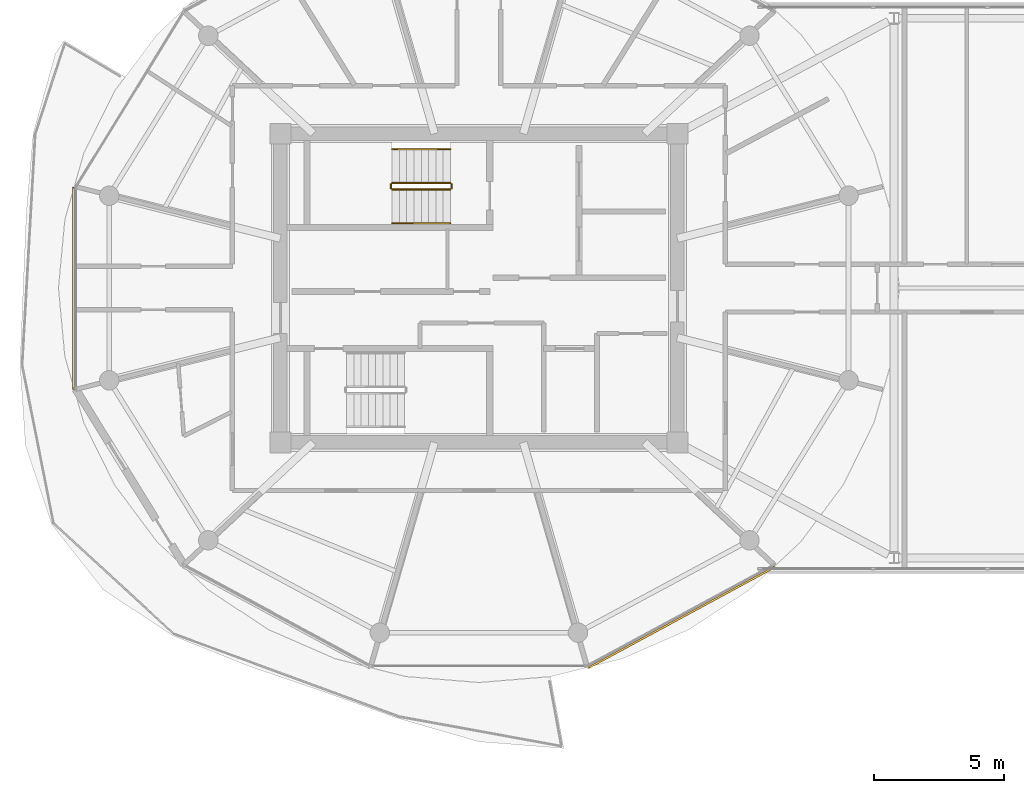
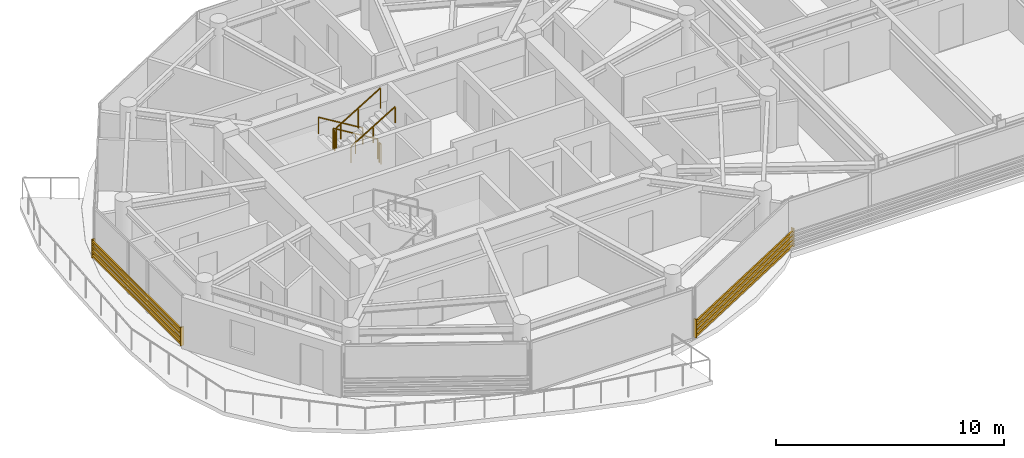
# One storey, part 21 of 23: 6 railings, 2 shading devices.
"""IFC4 building model written with IfcOpenShell, lengths in metres."""

import ifcopenshell
import ifcopenshell.guid

model = None  # the IFC model being written
_history = None  # IfcOwnerHistory: only IFC2X3 demands one
_inside = {}  # id of a spatial element -> (the spatial element, [elements in it])
_under = {}  # id of a project, library or spatial element -> (it, [spatial elements below it])
_declared = {}  # id of a project -> (the project, [libraries it declares])
_typed = {}  # id of a type object -> (the type object, [elements of that type])
_made_of = {}  # id of a material, layer set ... -> (it, [elements and type objects made of it])


def new_model(schema):
    """Start an empty IFC model of exactly this schema.

    Asked for "IFC4X3", IfcOpenShell would pick the latest addendum, in which some entities
    have other attributes; the version numbers below select the first issue.
    IFC2X3 requires an IfcOwnerHistory on every rooted entity: one is made here for all.
    """
    global model, _history
    if schema == "IFC4X3":
        model = ifcopenshell.file(schema_version=(4, 3, 0, 0))
    else:
        model = ifcopenshell.file(schema=schema)
    _inside.clear()
    _under.clear()
    _declared.clear()
    _typed.clear()
    _made_of.clear()
    _history = None
    if model.schema == "IFC2X3":
        org = make("IfcOrganization", Name="unknown")
        user = make(
            "IfcPersonAndOrganization",
            ThePerson=make("IfcPerson", FamilyName="unknown"),
            TheOrganization=org,
        )
        app = make(
            "IfcApplication",
            ApplicationDeveloper=org,
            Version="unknown",
            ApplicationFullName="unknown",
            ApplicationIdentifier="unknown",
        )
        _history = make(
            "IfcOwnerHistory",
            OwningUser=user,
            OwningApplication=app,
            ChangeAction="ADDED",
            CreationDate=0,
        )
    return model


def make(cls, **values):
    """One entity of the class cls with the attributes given. An attribute that is None is left unset."""
    return model.create_entity(
        cls, **{name: value for name, value in values.items() if value is not None}
    )


def rooted(cls, **values):
    """An entity with a GlobalId (a new one), such as an element, a storey or a relation."""
    return make(cls, GlobalId=ifcopenshell.guid.new(), OwnerHistory=_history, **values)


def si_unit(unit_type, name, prefix=None):
    """IfcSIUnit, for example si_unit("LENGTHUNIT", "METRE", prefix="MILLI")."""
    return make("IfcSIUnit", UnitType=unit_type, Prefix=prefix, Name=name)


def assignment(units):
    """IfcUnitAssignment: the units of a project."""
    return None if units is None else make("IfcUnitAssignment", Units=units)


def point(xyz):
    """IfcCartesianPoint."""
    return None if xyz is None else make("IfcCartesianPoint", Coordinates=xyz)


def direction(xyz):
    """IfcDirection."""
    return None if xyz is None else make("IfcDirection", DirectionRatios=xyz)


def frame(location, z_axis=None, x_axis=None):
    """IfcAxis2Placement3D, a coordinate frame: its origin and axes. An axis left out is left unset."""
    return make(
        "IfcAxis2Placement3D",
        Location=point(location),
        Axis=direction(z_axis),
        RefDirection=direction(x_axis),
    )


def frame_2d(location, x_axis=None):
    """IfcAxis2Placement2D, a coordinate frame in the plane: its origin and x axis."""
    return make(
        "IfcAxis2Placement2D", Location=point(location), RefDirection=direction(x_axis)
    )


def origin():
    """The frame at (0, 0, 0) with its axes left unset."""
    return frame((0.0, 0.0, 0.0))


def origin_2d():
    """The frame at (0, 0) in the plane with its x axis left unset."""
    return frame_2d((0.0, 0.0))


def place(relative_to, where):
    """IfcLocalPlacement: puts the frame where relative to a parent placement (None: the world)."""
    return make(
        "IfcLocalPlacement", PlacementRelTo=relative_to, RelativePlacement=where
    )


def context(
    kind, dimensions, precision=None, world=None, true_north=None, identifier=None
):
    """IfcGeometricRepresentationContext, for example the 3D "Model" context."""
    return make(
        "IfcGeometricRepresentationContext",
        ContextIdentifier=identifier,
        ContextType=kind,
        CoordinateSpaceDimension=dimensions,
        Precision=precision,
        WorldCoordinateSystem=world,
        TrueNorth=true_north,
    )


def subcontext(parent, identifier, kind, view, scale=None):
    """IfcGeometricRepresentationSubContext, for example "Body" below "Model"."""
    return make(
        "IfcGeometricRepresentationSubContext",
        ContextIdentifier=identifier,
        ContextType=kind,
        ParentContext=parent,
        TargetScale=scale,
        TargetView=view,
    )


def project(units=None, contexts=None):
    """IfcProject with its units and contexts."""
    return rooted(
        "IfcProject",
        Name="project",
        RepresentationContexts=contexts,
        UnitsInContext=assignment(units),
    )


def spatial(cls, under=None, at=None, **own):
    """A site, building, storey or space (cls), placed at a placement, below another one or the project."""
    s = rooted(cls, ObjectPlacement=at, **own)
    if under is not None:
        _under.setdefault(under.id(), (under, []))[1].append(s)
    return s


def profile(cls, at=None, kind="AREA", **sizes):
    """A parametric profile (cls). Its sizes go by their IFC names, for example OverallWidth=200.0."""
    return make(cls, ProfileType=kind, Position=at, **sizes)


def rectangle(**sizes):
    """IfcRectangleProfileDef."""
    return profile("IfcRectangleProfileDef", **sizes)


def extrude(swept, where, along, depth):
    """IfcExtrudedAreaSolid: the profile swept, set in the frame where, extruded along a direction by depth."""
    return make(
        "IfcExtrudedAreaSolid",
        SweptArea=swept,
        Position=where,
        ExtrudedDirection=direction(along),
        Depth=depth,
    )


def shape(context_of_items, identifier, shape_type, items):
    """IfcShapeRepresentation: the items that make up one representation, for example the "Body"."""
    return make(
        "IfcShapeRepresentation",
        ContextOfItems=context_of_items,
        RepresentationIdentifier=identifier,
        RepresentationType=shape_type,
        Items=items,
    )


def source(mapping_origin, context_of_items, identifier, shape_type, items):
    """IfcRepresentationMap: a shape defined once, which mapped items show again and again."""
    return make(
        "IfcRepresentationMap",
        MappingOrigin=mapping_origin,
        MappedRepresentation=shape(context_of_items, identifier, shape_type, items),
    )


def transform(
    local_origin,
    x_axis=None,
    y_axis=None,
    z_axis=None,
    scale=None,
    scale2=None,
    scale3=None,
    uniform=True,
):
    """IfcCartesianTransformationOperator3D, or its non-uniform kind. x_axis, y_axis, z_axis: its Axis1, 2, 3."""
    if uniform:
        return make(
            "IfcCartesianTransformationOperator3D",
            Axis1=direction(x_axis),
            Axis2=direction(y_axis),
            LocalOrigin=point(local_origin),
            Scale=scale,
            Axis3=direction(z_axis),
        )
    return make(
        "IfcCartesianTransformationOperator3DnonUniform",
        Axis1=direction(x_axis),
        Axis2=direction(y_axis),
        LocalOrigin=point(local_origin),
        Scale=scale,
        Axis3=direction(z_axis),
        Scale2=scale2,
        Scale3=scale3,
    )


def mapped(mapping_source, mapping_target):
    """IfcMappedItem: shows the shape of a source again, moved by a transform."""
    return make(
        "IfcMappedItem", MappingSource=mapping_source, MappingTarget=mapping_target
    )


def material(Name=None, Category=None):
    """IfcMaterial."""
    return make("IfcMaterial", Name=Name, Category=Category)


def made_of(thing, what):
    """Note that an element or type object is made of a material, layer set ...; save() writes the relation."""
    if what is not None:
        _made_of.setdefault(what.id(), (what, []))[1].append(thing)
    return thing


def type_object(cls, material=None, **own):
    """A type object (cls), such as IfcWallType, which elements share."""
    return made_of(rooted(cls, **own), material)


def type_shapes(of_type, sources):
    """Give a type object the sources (RepresentationMaps) that its elements show as mapped items."""
    of_type.RepresentationMaps = sources


def element(
    cls,
    number,
    at=None,
    inside=None,
    cuts=None,
    type_object=None,
    material=None,
    context=None,
    identifier="Body",
    shape_type=None,
    held_by="IfcProductDefinitionShape",
    body=None,
    shapes=None,
    **own,
):
    """One element of the class cls, such as IfcWall. Its Tag is "e" and its number.

    at: its placement. inside: the storey or other place that contains it. cuts: it is an
    opening in that element (IfcRelVoidsElement). A single representation is given by context,
    identifier, shape_type and body (its items); several are given by shapes. held_by: the class
    of the entity that holds the representations. save() writes the other relations.
    """
    e = rooted(cls, Tag="e%d" % number, ObjectPlacement=at, **own)
    if body is not None:
        shapes = [shape(context, identifier, shape_type, body)]
    if shapes is not None:
        e.Representation = make(held_by, Representations=shapes)
    if inside is not None:
        _inside.setdefault(inside.id(), (inside, []))[1].append(e)
    if cuts is not None:
        rooted(
            "IfcRelVoidsElement", RelatingBuildingElement=cuts, RelatedOpeningElement=e
        )
    if type_object is not None:
        _typed.setdefault(type_object.id(), (type_object, []))[1].append(e)
    return made_of(e, material)


def aggregate(whole, parts):
    """IfcRelAggregates: a whole, such as a stair, and the parts it consists of."""
    return rooted("IfcRelAggregates", RelatingObject=whole, RelatedObjects=parts)


def save(model, path):
    """Write the relations noted so far, then the file.

    IfcRelAggregates (storeys below a building ...), IfcRelContainedInSpatialStructure (elements
    in a storey), IfcRelDefinesByType, IfcRelAssociatesMaterial and IfcRelDeclares: one each for
    every whole, place, type object, material and project.
    """
    for whole, parts in _under.values():
        aggregate(whole, parts)
    for where, things in _inside.values():
        rooted(
            "IfcRelContainedInSpatialStructure",
            RelatedElements=things,
            RelatingStructure=where,
        )
    for kind, things in _typed.values():
        rooted("IfcRelDefinesByType", RelatedObjects=things, RelatingType=kind)
    for what, things in _made_of.values():
        rooted("IfcRelAssociatesMaterial", RelatedObjects=things, RelatingMaterial=what)
    for by, libraries in _declared.values():
        rooted("IfcRelDeclares", RelatingContext=by, RelatedDefinitions=libraries)
    model.write(path)


model = new_model("IFC4")

# Units and contexts
model_context = context("Model", 3, precision=1e-05, world=origin(), true_north=direction((0.0, 1.0)))
body_context = subcontext(model_context, "Body", "Model", "MODEL_VIEW")
ifc_project = project(units=[si_unit("LENGTHUNIT", "METRE"), si_unit("AREAUNIT", "SQUARE_METRE"), si_unit("VOLUMEUNIT", "CUBIC_METRE"), si_unit("PLANEANGLEUNIT", "RADIAN"), si_unit("MASSUNIT", "GRAM", prefix="KILO")], contexts=[model_context])

# Site, building, storey
site_placement = place(None, origin())
site = spatial("IfcSite", under=ifc_project, at=site_placement, CompositionType="ELEMENT")
building_placement = place(site_placement, origin())
building = spatial("IfcBuilding", under=site, at=building_placement, Name="Norrkilde Senior Care Towers", CompositionType="ELEMENT")
storey_placement = place(building_placement, frame((0.0, 0.0, 216.949951171875)))
storey = spatial("IfcBuildingStorey", under=building, at=storey_placement, Name="L67", CompositionType="ELEMENT", Elevation=216.949951171875)

# Railings
ifc_material_1 = material(Name="Stainless Steel", Category="steel")
railing_type_1 = type_object("IfcRailingType", Name="Stair and Terrace Guardrail 1100", PredefinedType="GUARDRAIL", material=ifc_material_1)
railing_1_placement = place(storey_placement, frame((-29.10009765625, 4.050048828125, 0.16943359375)))
element("IfcRailing", 1, at=railing_1_placement, inside=storey, type_object=railing_type_1, Name="L67 ST-W1 stair guard 1", PredefinedType="GUARDRAIL", context=body_context, shape_type="SweptSolid", body=[
    extrude(rectangle(XDim=0.048095703125, YDim=0.048095703125, at=origin_2d()), frame((0.0, 0.0, 1.076171875), z_axis=(-0.855512035549, 0.0, 0.517782924622), x_axis=(0.0, -1.0, 0.0)), (0.0, 0.0, 1.0), 2.618408203125),
    extrude(rectangle(XDim=0.0419921875, YDim=0.0419921875, at=origin_2d()), origin(), (0.0, 0.0, 1.0), 1.050048828125),
    extrude(rectangle(XDim=0.0419921875, YDim=0.0419921875, at=origin_2d()), frame((-1.1201171875, 0.0, 0.677734375)), (0.0, 0.0, 1.0), 1.050048828125),
    extrude(rectangle(XDim=0.0419921875, YDim=0.0419921875, at=origin_2d()), frame((-2.239990234375, 0.0, 1.355712890625)), (0.0, 0.0, 1.0), 1.050048828125),
])
railing_2_placement = place(storey_placement, frame((-31.389892578125, 4.0, 1.525146484375)))
element("IfcRailing", 2, at=railing_2_placement, inside=storey, type_object=railing_type_1, Name="L67 ST-W1 stair guard 2", PredefinedType="GUARDRAIL", context=body_context, shape_type="SweptSolid", body=[
    extrude(rectangle(XDim=0.048095703125, YDim=0.048095703125, at=origin_2d()), frame((0.0, 0.0, 1.076171875), z_axis=(0.0, -1.0, 0.0), x_axis=(1.0, 0.0, 0.0)), (0.0, 0.0, 1.0), 0.14990234375),
    extrude(rectangle(XDim=0.0419921875, YDim=0.0419921875, at=origin_2d()), origin(), (0.0, 0.0, 1.0), 1.050048828125),
    extrude(rectangle(XDim=0.0419921875, YDim=0.0419921875, at=origin_2d()), frame((0.0, -0.14990234375, 0.0)), (0.0, 0.0, 1.0), 1.050048828125),
])
railing_3_placement = place(storey_placement, frame((-31.340087890625, 3.800048828125, 1.694580078125)))
element("IfcRailing", 3, at=railing_3_placement, inside=storey, type_object=railing_type_1, Name="L67 ST-W1 stair guard 3", PredefinedType="GUARDRAIL", context=body_context, shape_type="SweptSolid", body=[
    extrude(rectangle(XDim=0.048095703125, YDim=0.048095703125, at=origin_2d()), frame((0.0, 0.0, 1.076171875), z_axis=(0.855553338991, 0.0, 0.51771467445), x_axis=(0.0, 1.0, 0.0)), (0.0, 0.0, 1.0), 2.6181640625),
    extrude(rectangle(XDim=0.0419921875, YDim=0.0419921875, at=origin_2d()), origin(), (0.0, 0.0, 1.0), 1.050048828125),
    extrude(rectangle(XDim=0.0419921875, YDim=0.0419921875, at=origin_2d()), frame((1.1201171875, 0.0, 0.677734375)), (0.0, 0.0, 1.0), 1.050048828125),
    extrude(rectangle(XDim=0.0419921875, YDim=0.0419921875, at=origin_2d()), frame((2.239990234375, 0.0, 1.35546875)), (0.0, 0.0, 1.0), 1.050048828125),
])
railing_4_placement = place(storey_placement, frame((-29.050048828125, 4.0, 0.0)))
element("IfcRailing", 4, at=railing_4_placement, inside=storey, type_object=railing_type_1, Name="L67 ST-W1 stair guard 4", PredefinedType="GUARDRAIL", context=body_context, shape_type="SweptSolid", body=[
    extrude(rectangle(XDim=0.048095703125, YDim=0.048095703125, at=origin_2d()), frame((0.0, 0.0, 1.076171875), z_axis=(0.0, -1.0, 0.0), x_axis=(1.0, 0.0, 0.0)), (0.0, 0.0, 1.0), 0.14990234375),
    extrude(rectangle(XDim=0.0419921875, YDim=0.0419921875, at=origin_2d()), origin(), (0.0, 0.0, 1.0), 1.050048828125),
    extrude(rectangle(XDim=0.0419921875, YDim=0.0419921875, at=origin_2d()), frame((0.0, -0.14990234375, 0.0)), (0.0, 0.0, 1.0), 1.050048828125),
])
ifc_material_2 = material(Name="Nordic Ash Timber", Category="wood")
railing_type_2 = type_object("IfcRailingType", Name="Wall and Stair Handrail 900", PredefinedType="HANDRAIL", material=ifc_material_2)
railing_5_placement = place(storey_placement, frame((-29.10009765625, 5.35009765625, 0.16943359375)))
element("IfcRailing", 5, at=railing_5_placement, inside=storey, type_object=railing_type_2, Name="L67 ST-W1 stair handrail 1", PredefinedType="HANDRAIL", context=body_context, shape_type="SweptSolid", body=[
    extrude(rectangle(XDim=0.048095703125, YDim=0.048095703125, at=origin_2d()), frame((0.0, 0.0, 0.8759765625), z_axis=(-0.855512035549, 0.0, 0.517782924622), x_axis=(0.0, -1.0, 0.0)), (0.0, 0.0, 1.0), 2.618408203125),
    extrude(rectangle(XDim=0.0419921875, YDim=0.0419921875, at=origin_2d()), origin(), (0.0, 0.0, 1.0), 0.849853515625),
    extrude(rectangle(XDim=0.0419921875, YDim=0.0419921875, at=origin_2d()), frame((-1.1201171875, 0.0, 0.677734375)), (0.0, 0.0, 1.0), 0.849853515625),
    extrude(rectangle(XDim=0.0419921875, YDim=0.0419921875, at=origin_2d()), frame((-2.239990234375, 0.0, 1.355712890625)), (0.0, 0.0, 1.0), 0.849853515625),
])
railing_6_placement = place(storey_placement, frame((-31.340087890625, 2.5, 1.694580078125)))
element("IfcRailing", 6, at=railing_6_placement, inside=storey, type_object=railing_type_2, Name="L67 ST-W1 stair handrail 2", PredefinedType="HANDRAIL", context=body_context, shape_type="SweptSolid", body=[
    extrude(rectangle(XDim=0.048095703125, YDim=0.048095703125, at=origin_2d()), frame((0.0, 0.0, 0.8759765625), z_axis=(0.855553338991, 0.0, 0.51771467445), x_axis=(0.0, 1.0, 0.0)), (0.0, 0.0, 1.0), 2.6181640625),
    extrude(rectangle(XDim=0.0419921875, YDim=0.0419921875, at=origin_2d()), origin(), (0.0, 0.0, 1.0), 0.849853515625),
    extrude(rectangle(XDim=0.0419921875, YDim=0.0419921875, at=origin_2d()), frame((1.1201171875, 0.0, 0.677734375)), (0.0, 0.0, 1.0), 0.849853515625),
    extrude(rectangle(XDim=0.0419921875, YDim=0.0419921875, at=origin_2d()), frame((2.239990234375, 0.0, 1.35546875)), (0.0, 0.0, 1.0), 0.849853515625),
])

# Shading devices
ifc_material_3 = material(Name="Architectural Terracotta", Category="masonry")
shading_device_type = type_object("IfcShadingDeviceType", Name="Horizontal Terracotta Baguette Rack", PredefinedType="USERDEFINED", material=ifc_material_3)
shared_shape_1 = source(origin(), body_context, "Body", "SweptSolid", [
    extrude(rectangle(XDim=0.070068359375, YDim=0.110107421875, at=origin_2d()), frame((0.0, 0.090087890625, 0.125), z_axis=(1.0, 0.0, 0.0), x_axis=(0.0, 1.0, 0.0)), (0.0, 0.0, 1.0), 8.197265625),
    extrude(rectangle(XDim=0.070068359375, YDim=0.110107421875, at=origin_2d()), frame((0.0, 0.090087890625, 0.375), z_axis=(1.0, 0.0, 0.0), x_axis=(0.0, 1.0, 0.0)), (0.0, 0.0, 1.0), 8.197265625),
    extrude(rectangle(XDim=0.070068359375, YDim=0.110107421875, at=origin_2d()), frame((0.0, 0.090087890625, 0.625), z_axis=(1.0, 0.0, 0.0), x_axis=(0.0, 1.0, 0.0)), (0.0, 0.0, 1.0), 8.197265625),
    extrude(rectangle(XDim=0.070068359375, YDim=0.110107421875, at=origin_2d()), frame((0.0, 0.090087890625, 0.875), z_axis=(1.0, 0.0, 0.0), x_axis=(0.0, 1.0, 0.0)), (0.0, 0.0, 1.0), 8.197265625),
    extrude(rectangle(XDim=0.050048828125, YDim=0.1552734375, at=origin_2d()), frame((0.02490234375, 0.047607421875, 0.0)), (0.0, 0.0, 1.0), 1.0),
    extrude(rectangle(XDim=0.050048828125, YDim=0.1552734375, at=origin_2d()), frame((8.17236328125, 0.047607421875, 0.0)), (0.0, 0.0, 1.0), 1.0),
])
shading_device_1_placement = place(storey_placement, frame((-16.629638671875, -10.6630859375, 0.080078125), z_axis=(0.0, 0.0, 1.0), x_axis=(-0.879378127234, -0.476143674053, 0.0)))
element("IfcShadingDevice", 7, at=shading_device_1_placement, inside=storey, type_object=shading_device_type, Name="L67 Drum W Terracotta Baguette Screen 09", ObjectType="BAGUETTE", PredefinedType="USERDEFINED", context=body_context, shape_type="MappedRepresentation", body=[
    mapped(shared_shape_1, transform((0.0, 0.0, 0.0), x_axis=(1.0, 0.0, 0.0), y_axis=(0.0, 1.0, 0.0), z_axis=(0.0, 0.0, 1.0), scale=1.0)),
])
shared_shape_2 = source(origin(), body_context, "Body", "SweptSolid", [
    extrude(rectangle(XDim=0.070068359375, YDim=0.110107421875, at=origin_2d()), frame((0.0, 0.090087890625, 0.125), z_axis=(1.0, 0.0, 0.0), x_axis=(0.0, 1.0, 0.0)), (0.0, 0.0, 1.0), 7.80615234375),
    extrude(rectangle(XDim=0.070068359375, YDim=0.110107421875, at=origin_2d()), frame((0.0, 0.090087890625, 0.375), z_axis=(1.0, 0.0, 0.0), x_axis=(0.0, 1.0, 0.0)), (0.0, 0.0, 1.0), 7.80615234375),
    extrude(rectangle(XDim=0.070068359375, YDim=0.110107421875, at=origin_2d()), frame((0.0, 0.090087890625, 0.625), z_axis=(1.0, 0.0, 0.0), x_axis=(0.0, 1.0, 0.0)), (0.0, 0.0, 1.0), 7.80615234375),
    extrude(rectangle(XDim=0.070068359375, YDim=0.110107421875, at=origin_2d()), frame((0.0, 0.090087890625, 0.875), z_axis=(1.0, 0.0, 0.0), x_axis=(0.0, 1.0, 0.0)), (0.0, 0.0, 1.0), 7.80615234375),
    extrude(rectangle(XDim=0.050048828125, YDim=0.1552734375, at=origin_2d()), frame((0.02490234375, 0.047607421875, 0.0)), (0.0, 0.0, 1.0), 1.0),
    extrude(rectangle(XDim=0.050048828125, YDim=0.1552734375, at=origin_2d()), frame((7.78125, 0.047607421875, 0.0)), (0.0, 0.0, 1.0), 1.0),
])
type_shapes(shading_device_type, [shared_shape_1, shared_shape_2])
shading_device_2_placement = place(storey_placement, frame((-43.531982421875, -3.903076171875, 0.080078125), z_axis=(0.0, 0.0, 1.0), x_axis=(0.0, 1.0, 0.0)))
element("IfcShadingDevice", 8, at=shading_device_2_placement, inside=storey, type_object=shading_device_type, Name="L67 Drum W Terracotta Baguette Screen 05", ObjectType="BAGUETTE", PredefinedType="USERDEFINED", context=body_context, shape_type="MappedRepresentation", body=[
    mapped(shared_shape_2, transform((0.0, 0.0, 0.0), x_axis=(1.0, 0.0, 0.0), y_axis=(0.0, 1.0, 0.0), z_axis=(0.0, 0.0, 1.0), scale=1.0)),
])

save(model, "model.ifc")
